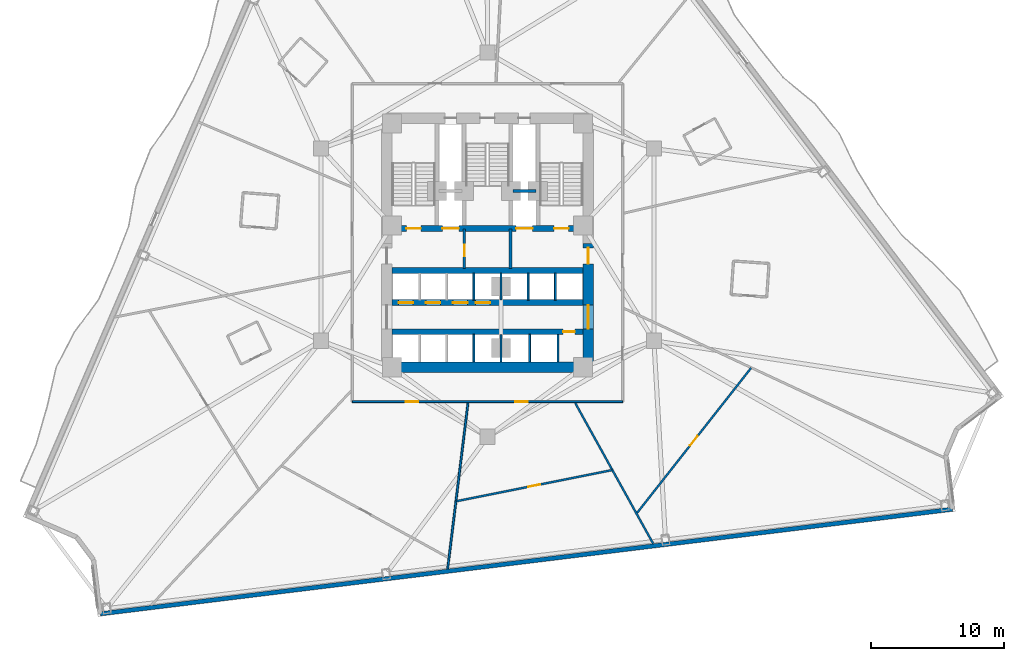
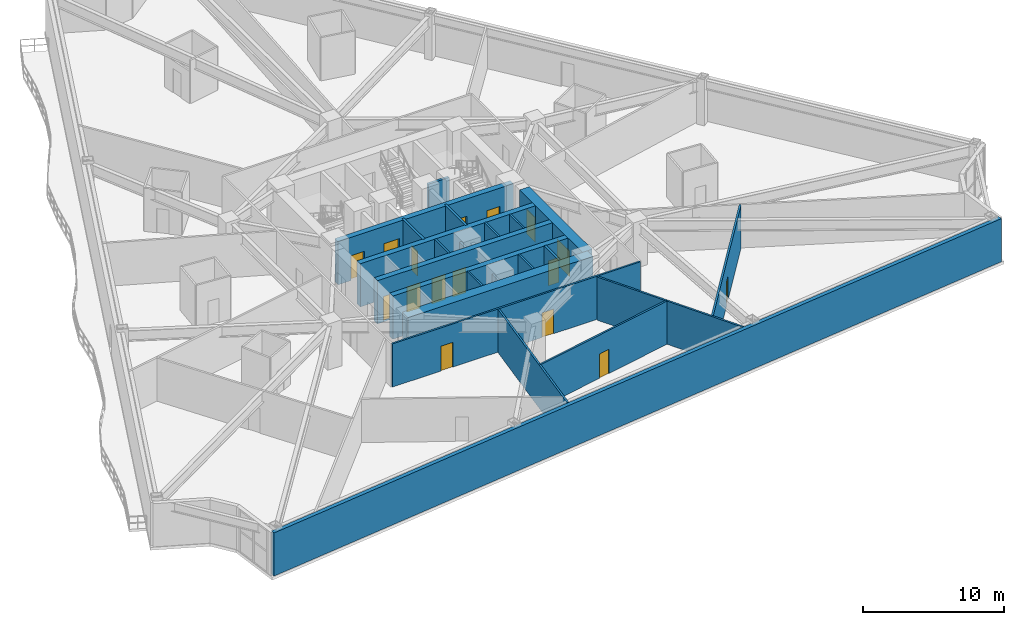
# One storey, part 7 of 14: 23 walls, 16 doors, 16 openings.
"""IFC4 building model written with IfcOpenShell, lengths in metres."""

import ifcopenshell
import ifcopenshell.guid

model = None  # the IFC model being written
_history = None  # IfcOwnerHistory: only IFC2X3 demands one
_inside = {}  # id of a spatial element -> (the spatial element, [elements in it])
_under = {}  # id of a project, library or spatial element -> (it, [spatial elements below it])
_declared = {}  # id of a project -> (the project, [libraries it declares])
_typed = {}  # id of a type object -> (the type object, [elements of that type])
_made_of = {}  # id of a material, layer set ... -> (it, [elements and type objects made of it])


def new_model(schema):
    """Start an empty IFC model of exactly this schema.

    Asked for "IFC4X3", IfcOpenShell would pick the latest addendum, in which some entities
    have other attributes; the version numbers below select the first issue.
    IFC2X3 requires an IfcOwnerHistory on every rooted entity: one is made here for all.
    """
    global model, _history
    if schema == "IFC4X3":
        model = ifcopenshell.file(schema_version=(4, 3, 0, 0))
    else:
        model = ifcopenshell.file(schema=schema)
    _inside.clear()
    _under.clear()
    _declared.clear()
    _typed.clear()
    _made_of.clear()
    _history = None
    if model.schema == "IFC2X3":
        org = make("IfcOrganization", Name="unknown")
        user = make(
            "IfcPersonAndOrganization",
            ThePerson=make("IfcPerson", FamilyName="unknown"),
            TheOrganization=org,
        )
        app = make(
            "IfcApplication",
            ApplicationDeveloper=org,
            Version="unknown",
            ApplicationFullName="unknown",
            ApplicationIdentifier="unknown",
        )
        _history = make(
            "IfcOwnerHistory",
            OwningUser=user,
            OwningApplication=app,
            ChangeAction="ADDED",
            CreationDate=0,
        )
    return model


def make(cls, **values):
    """One entity of the class cls with the attributes given. An attribute that is None is left unset."""
    return model.create_entity(
        cls, **{name: value for name, value in values.items() if value is not None}
    )


def rooted(cls, **values):
    """An entity with a GlobalId (a new one), such as an element, a storey or a relation."""
    return make(cls, GlobalId=ifcopenshell.guid.new(), OwnerHistory=_history, **values)


def si_unit(unit_type, name, prefix=None):
    """IfcSIUnit, for example si_unit("LENGTHUNIT", "METRE", prefix="MILLI")."""
    return make("IfcSIUnit", UnitType=unit_type, Prefix=prefix, Name=name)


def assignment(units):
    """IfcUnitAssignment: the units of a project."""
    return None if units is None else make("IfcUnitAssignment", Units=units)


def point(xyz):
    """IfcCartesianPoint."""
    return None if xyz is None else make("IfcCartesianPoint", Coordinates=xyz)


def direction(xyz):
    """IfcDirection."""
    return None if xyz is None else make("IfcDirection", DirectionRatios=xyz)


def frame(location, z_axis=None, x_axis=None):
    """IfcAxis2Placement3D, a coordinate frame: its origin and axes. An axis left out is left unset."""
    return make(
        "IfcAxis2Placement3D",
        Location=point(location),
        Axis=direction(z_axis),
        RefDirection=direction(x_axis),
    )


def frame_2d(location, x_axis=None):
    """IfcAxis2Placement2D, a coordinate frame in the plane: its origin and x axis."""
    return make(
        "IfcAxis2Placement2D", Location=point(location), RefDirection=direction(x_axis)
    )


def origin():
    """The frame at (0, 0, 0) with its axes left unset."""
    return frame((0.0, 0.0, 0.0))


def place(relative_to, where):
    """IfcLocalPlacement: puts the frame where relative to a parent placement (None: the world)."""
    return make(
        "IfcLocalPlacement", PlacementRelTo=relative_to, RelativePlacement=where
    )


def context(
    kind, dimensions, precision=None, world=None, true_north=None, identifier=None
):
    """IfcGeometricRepresentationContext, for example the 3D "Model" context."""
    return make(
        "IfcGeometricRepresentationContext",
        ContextIdentifier=identifier,
        ContextType=kind,
        CoordinateSpaceDimension=dimensions,
        Precision=precision,
        WorldCoordinateSystem=world,
        TrueNorth=true_north,
    )


def subcontext(parent, identifier, kind, view, scale=None):
    """IfcGeometricRepresentationSubContext, for example "Body" below "Model"."""
    return make(
        "IfcGeometricRepresentationSubContext",
        ContextIdentifier=identifier,
        ContextType=kind,
        ParentContext=parent,
        TargetScale=scale,
        TargetView=view,
    )


def project(units=None, contexts=None):
    """IfcProject with its units and contexts."""
    return rooted(
        "IfcProject",
        Name="project",
        RepresentationContexts=contexts,
        UnitsInContext=assignment(units),
    )


def spatial(cls, under=None, at=None, **own):
    """A site, building, storey or space (cls), placed at a placement, below another one or the project."""
    s = rooted(cls, ObjectPlacement=at, **own)
    if under is not None:
        _under.setdefault(under.id(), (under, []))[1].append(s)
    return s


def profile(cls, at=None, kind="AREA", **sizes):
    """A parametric profile (cls). Its sizes go by their IFC names, for example OverallWidth=200.0."""
    return make(cls, ProfileType=kind, Position=at, **sizes)


def rectangle(**sizes):
    """IfcRectangleProfileDef."""
    return profile("IfcRectangleProfileDef", **sizes)


def extrude(swept, where, along, depth):
    """IfcExtrudedAreaSolid: the profile swept, set in the frame where, extruded along a direction by depth."""
    return make(
        "IfcExtrudedAreaSolid",
        SweptArea=swept,
        Position=where,
        ExtrudedDirection=direction(along),
        Depth=depth,
    )


def shape(context_of_items, identifier, shape_type, items):
    """IfcShapeRepresentation: the items that make up one representation, for example the "Body"."""
    return make(
        "IfcShapeRepresentation",
        ContextOfItems=context_of_items,
        RepresentationIdentifier=identifier,
        RepresentationType=shape_type,
        Items=items,
    )


def material(Name=None, Category=None):
    """IfcMaterial."""
    return make("IfcMaterial", Name=Name, Category=Category)


def layer(
    of_material, thickness, ventilated=None, Name=None, Category=None, Priority=None
):
    """IfcMaterialLayer: one layer of a wall or slab, of a material (None: an air gap)."""
    return make(
        "IfcMaterialLayer",
        Material=of_material,
        LayerThickness=thickness,
        IsVentilated=ventilated,
        Name=Name,
        Category=Category,
        Priority=Priority,
    )


def layer_set(layers, Name=None):
    """IfcMaterialLayerSet."""
    return make("IfcMaterialLayerSet", MaterialLayers=layers, LayerSetName=Name)


def made_of(thing, what):
    """Note that an element or type object is made of a material, layer set ...; save() writes the relation."""
    if what is not None:
        _made_of.setdefault(what.id(), (what, []))[1].append(thing)
    return thing


def type_object(cls, material=None, **own):
    """A type object (cls), such as IfcWallType, which elements share."""
    return made_of(rooted(cls, **own), material)


def element(
    cls,
    number,
    at=None,
    inside=None,
    cuts=None,
    type_object=None,
    material=None,
    context=None,
    identifier="Body",
    shape_type=None,
    held_by="IfcProductDefinitionShape",
    body=None,
    shapes=None,
    **own,
):
    """One element of the class cls, such as IfcWall. Its Tag is "e" and its number.

    at: its placement. inside: the storey or other place that contains it. cuts: it is an
    opening in that element (IfcRelVoidsElement). A single representation is given by context,
    identifier, shape_type and body (its items); several are given by shapes. held_by: the class
    of the entity that holds the representations. save() writes the other relations.
    """
    e = rooted(cls, Tag="e%d" % number, ObjectPlacement=at, **own)
    if body is not None:
        shapes = [shape(context, identifier, shape_type, body)]
    if shapes is not None:
        e.Representation = make(held_by, Representations=shapes)
    if inside is not None:
        _inside.setdefault(inside.id(), (inside, []))[1].append(e)
    if cuts is not None:
        rooted(
            "IfcRelVoidsElement", RelatingBuildingElement=cuts, RelatedOpeningElement=e
        )
    if type_object is not None:
        _typed.setdefault(type_object.id(), (type_object, []))[1].append(e)
    return made_of(e, material)


def fill(opening, filler):
    """IfcRelFillsElement: the door or window that sits in an opening."""
    return rooted(
        "IfcRelFillsElement",
        RelatingOpeningElement=opening,
        RelatedBuildingElement=filler,
    )


def aggregate(whole, parts):
    """IfcRelAggregates: a whole, such as a stair, and the parts it consists of."""
    return rooted("IfcRelAggregates", RelatingObject=whole, RelatedObjects=parts)


def save(model, path):
    """Write the relations noted so far, then the file.

    IfcRelAggregates (storeys below a building ...), IfcRelContainedInSpatialStructure (elements
    in a storey), IfcRelDefinesByType, IfcRelAssociatesMaterial and IfcRelDeclares: one each for
    every whole, place, type object, material and project.
    """
    for whole, parts in _under.values():
        aggregate(whole, parts)
    for where, things in _inside.values():
        rooted(
            "IfcRelContainedInSpatialStructure",
            RelatedElements=things,
            RelatingStructure=where,
        )
    for kind, things in _typed.values():
        rooted("IfcRelDefinesByType", RelatedObjects=things, RelatingType=kind)
    for what, things in _made_of.values():
        rooted("IfcRelAssociatesMaterial", RelatedObjects=things, RelatingMaterial=what)
    for by, libraries in _declared.values():
        rooted("IfcRelDeclares", RelatingContext=by, RelatedDefinitions=libraries)
    model.write(path)


model = new_model("IFC4")

# Units and contexts
model_context = context("Model", 3, precision=1e-05, world=origin(), true_north=direction((0.0, 1.0)))
body_context = subcontext(model_context, "Body", "Model", "MODEL_VIEW")
ifc_project = project(units=[si_unit("LENGTHUNIT", "METRE"), si_unit("AREAUNIT", "SQUARE_METRE"), si_unit("VOLUMEUNIT", "CUBIC_METRE"), si_unit("PLANEANGLEUNIT", "RADIAN"), si_unit("MASSUNIT", "GRAM", prefix="KILO")], contexts=[model_context])

# Site, building, storey
site_placement = place(None, origin())
site = spatial("IfcSite", under=ifc_project, at=site_placement, CompositionType="ELEMENT")
building_placement = place(site_placement, origin())
building = spatial("IfcBuilding", under=site, at=building_placement, Name="Apsidion Concourse Tower", CompositionType="ELEMENT")
storey_placement = place(building_placement, frame((0.0, 0.0, 79.0)))
storey = spatial("IfcBuildingStorey", under=building, at=storey_placement, Name="L17", CompositionType="ELEMENT", Elevation=79.0)

# Walls
ifc_material_1 = material(Name="Precast concrete C40/50", Category="concrete")
ifc_layer_1 = layer(ifc_material_1, 0.320068359375)
ifc_layer_set_1 = layer_set([ifc_layer_1], Name="Precast concrete C40/50")
wall_type_1 = type_object("IfcWallType", Name="WL-EXT-320", PredefinedType="STANDARD", material=ifc_layer_set_1)
wall_1_placement = place(storey_placement, frame((35.0908203125, -19.961181640625, 0.0), z_axis=(0.0, 0.0, 1.0), x_axis=(-0.992546286146, -0.121868247946, 0.0)))
element("IfcWall", 1, at=wall_1_placement, inside=storey, type_object=wall_type_1, Name="L17 Precast Stone Facade Wall 05", PredefinedType="STANDARD", context=body_context, shape_type="SweptSolid", body=[
    extrude(rectangle(XDim=64.793212890625, YDim=0.320068359375, at=frame_2d((32.396484375, 0.0))), origin(), (0.0, 0.0, 1.0), 3.75),
])
ifc_material_2 = material(Name="Gypsum plasterboard partition")
ifc_layer_2 = layer(ifc_material_2, 0.14990234375)
ifc_layer_set_2 = layer_set([ifc_layer_2], Name="Gypsum plasterboard partition")
wall_type_2 = type_object("IfcWallType", Name="WL-INT-PAR-150", PredefinedType="PARTITIONING", material=ifc_layer_set_2)
for number, where, z_axis, x_axis, name in (
    (2, (-1.02490234375, -4.179931640625, 0.0), (0.0, 0.0, 1.0), (0.0, 1.0, 0.0), "L17 Interior Partition WL-L17-B1DIV-3"),
    (3, (3.074951171875, -4.179931640625, 0.0), (0.0, 0.0, 1.0), (0.0, 1.0, 0.0), "L17 Interior Partition WL-L17-B3DIV-1"),
    (4, (5.125, -4.179931640625, 0.0), (0.0, 0.0, 1.0), (0.0, 1.0, 0.0), "L17 Interior Partition WL-L17-B3DIV-2"),
):
    element("IfcWall", number, at=place(storey_placement, frame(where, z_axis=z_axis, x_axis=x_axis)), inside=storey, type_object=wall_type_2, Name=name, PredefinedType="PARTITIONING", context=body_context, shape_type="SweptSolid", body=[
        extrude(rectangle(XDim=2.030029296875, YDim=0.14990234375, at=frame_2d((1.01513671875, 0.0))), origin(), (0.0, 0.0, 1.0), 3.75),
    ])
for number, where, z_axis, x_axis, name in (
    (5, (-1.02490234375, -8.85009765625, 0.0), (0.0, 0.0, 1.0), (0.0, 1.0, 0.0), "L17 Interior Partition WL-L17-B2DIV-3"),
    (6, (3.175048828125, -8.85009765625, 0.0), (0.0, 0.0, 1.0), (0.0, 1.0, 0.0), "L17 Interior Partition WL-L17-SHDIV-1"),
):
    element("IfcWall", number, at=place(storey_placement, frame(where, z_axis=z_axis, x_axis=x_axis)), inside=storey, type_object=wall_type_2, Name=name, PredefinedType="PARTITIONING", context=body_context, shape_type="SweptSolid", body=[
        extrude(rectangle(XDim=2.080078125, YDim=0.14990234375, at=frame_2d((1.0400390625, 0.0))), origin(), (0.0, 0.0, 1.0), 3.75),
    ])

# Wall, openings, doors
wall_2_placement = place(storey_placement, frame((10.199951171875, -11.85009765625, 0.0), z_axis=(0.0, 0.0, 1.0), x_axis=(-1.0, 0.0, 0.0)))
wall_2 = element("IfcWall", 7, at=wall_2_placement, inside=storey, type_object=wall_type_2, Name="L17 Interior Partition WL-L17-CORR-03", PredefinedType="PARTITIONING", context=body_context, shape_type="SweptSolid", body=[
    extrude(rectangle(XDim=20.39990234375, YDim=0.14990234375, at=frame_2d((10.199951171875, 0.0))), origin(), (0.0, 0.0, 1.0), 3.75),
])
opening_1_placement = place(wall_2_placement, frame((15.430908203125, 0.0, 0.0)))
opening_1 = element("IfcOpeningElement", 8, at=opening_1_placement, cuts=wall_2, Name="Opening D-01R", PredefinedType="OPENING", context=body_context, shape_type="SweptSolid", body=[
    extrude(rectangle(XDim=0.949951171875, YDim=2.14990234375, at=frame_2d((0.47509765625, 1.074951171875))), frame((0.0, 0.0849609375, 0.0), z_axis=(0.0, -1.0, 0.0), x_axis=(1.0, 0.0, 0.0)), (0.0, 0.0, 1.0), 0.169921875),
])
opening_2_placement = place(wall_2_placement, frame((7.1484375, 0.0, 0.0)))
opening_2 = element("IfcOpeningElement", 9, at=opening_2_placement, cuts=wall_2, Name="Opening D-01L", PredefinedType="OPENING", context=body_context, shape_type="SweptSolid", body=[
    extrude(rectangle(XDim=0.949951171875, YDim=2.14990234375, at=frame_2d((0.47509765625, 1.074951171875))), frame((0.0, 0.0849609375, 0.0), z_axis=(0.0, -1.0, 0.0), x_axis=(1.0, 0.0, 0.0)), (0.0, 0.0, 1.0), 0.169921875),
])
ifc_material_3 = material(Name="Brushed stainless steel 316", Category="steel")
door_type_1 = type_object("IfcDoorType", Name="DR-INT-D01L", OperationType="SINGLE_SWING_LEFT", PredefinedType="DOOR", material=ifc_material_3)
door_1_placement = place(opening_2_placement, origin())
door_1 = element("IfcDoor", 10, at=door_1_placement, inside=storey, type_object=door_type_1, Name="L17 Corridor Entry Door 03", OperationType="SINGLE_SWING_LEFT", OverallHeight=2.14990234375, OverallWidth=0.949951171875, PredefinedType="DOOR", context=body_context, shape_type="SweptSolid", body=[
    extrude(rectangle(XDim=0.949951171875, YDim=2.14990234375, at=frame_2d((0.47509765625, 1.074951171875))), frame((0.0, 0.02490234375, 0.0), z_axis=(0.0, -1.0, 0.0), x_axis=(1.0, 0.0, 0.0)), (0.0, 0.0, 1.0), 0.050048828125),
])
fill(opening_2, door_1)
door_type_2 = type_object("IfcDoorType", Name="DR-INT-D01R", OperationType="SINGLE_SWING_RIGHT", PredefinedType="DOOR", material=ifc_material_3)
door_2_placement = place(opening_1_placement, origin())
door_2 = element("IfcDoor", 11, at=door_2_placement, inside=storey, type_object=door_type_2, Name="L17 Corridor Entry Door 02", OperationType="SINGLE_SWING_RIGHT", OverallHeight=2.14990234375, OverallWidth=0.949951171875, PredefinedType="DOOR", context=body_context, shape_type="SweptSolid", body=[
    extrude(rectangle(XDim=0.949951171875, YDim=2.14990234375, at=frame_2d((0.47509765625, 1.074951171875))), frame((0.0, 0.02490234375, 0.0), z_axis=(0.0, -1.0, 0.0), x_axis=(1.0, 0.0, 0.0)), (0.0, 0.0, 1.0), 0.050048828125),
])
fill(opening_1, door_2)

# Walls
wall_3_placement = place(storey_placement, frame((-1.468017578125, -11.955078125, 0.0), z_axis=(0.0, 0.0, 1.0), x_axis=(-0.121866856939, -0.992546456938, 0.0)))
element("IfcWall", 12, at=wall_3_placement, inside=storey, type_object=wall_type_2, Name="L17 Interior Partition WL-L17-RAD-08-1", PredefinedType="PARTITIONING", context=body_context, shape_type="SweptSolid", body=[
    extrude(rectangle(XDim=12.60107421875, YDim=0.14990234375, at=frame_2d((6.300537109375, 0.0))), origin(), (0.0, 0.0, 1.0), 3.75),
])
wall_4_placement = place(storey_placement, frame((6.626708984375, -11.955078125, 0.0), z_axis=(0.0, 0.0, 1.0), x_axis=(0.484815133675, -0.874616650973, 0.0)))
element("IfcWall", 13, at=wall_4_placement, inside=storey, type_object=wall_type_2, Name="L17 Interior Partition WL-L17-RAD-09-1", PredefinedType="PARTITIONING", context=body_context, shape_type="SweptSolid", body=[
    extrude(rectangle(XDim=12.123046875, YDim=0.14990234375, at=frame_2d((6.0615234375, 0.0))), origin(), (0.0, 0.0, 1.0), 3.75),
])

# Wall, opening, door
wall_5_placement = place(storey_placement, frame((-2.351806640625, -19.359130859375, 0.0), z_axis=(0.0, 0.0, 1.0), x_axis=(0.980583809713, 0.196100464376, 0.0)))
wall_5 = element("IfcWall", 14, at=wall_5_placement, inside=storey, type_object=wall_type_2, Name="L17 Interior Partition WL-L17-CHD-HXS02", PredefinedType="PARTITIONING", context=body_context, shape_type="SweptSolid", body=[
    extrude(rectangle(XDim=11.984130859375, YDim=0.14990234375, at=frame_2d((5.9921875, 0.0))), origin(), (0.0, 0.0, 1.0), 3.75),
])
opening_3_placement = place(wall_5_placement, frame((5.5419921875, 0.0, 0.0)))
opening_3 = element("IfcOpeningElement", 15, at=opening_3_placement, cuts=wall_5, Name="Opening D-02R", PredefinedType="OPENING", context=body_context, shape_type="SweptSolid", body=[
    extrude(rectangle(XDim=0.89990234375, YDim=2.10009765625, at=frame_2d((0.449951171875, 1.050048828125))), frame((0.0, 0.0849609375, 0.0), z_axis=(0.0, -1.0, 0.0), x_axis=(1.0, 0.0, 0.0)), (0.0, 0.0, 1.0), 0.169921875),
])
ifc_material_4 = material(Name="Anodised aluminium EN AW-6063 T6", Category="aluminium")
door_type_3 = type_object("IfcDoorType", Name="DR-INT-D02R", OperationType="SINGLE_SWING_RIGHT", PredefinedType="DOOR", material=ifc_material_4)
door_3_placement = place(opening_3_placement, origin())
door_3 = element("IfcDoor", 16, at=door_3_placement, inside=storey, type_object=door_type_3, Name="L17 Suite Connecting Door HXS02", OperationType="SINGLE_SWING_RIGHT", OverallHeight=2.10009765625, OverallWidth=0.89990234375, PredefinedType="DOOR", context=body_context, shape_type="SweptSolid", body=[
    extrude(rectangle(XDim=0.89990234375, YDim=2.10009765625, at=frame_2d((0.449951171875, 1.050048828125))), frame((0.0, 0.02490234375, 0.0), z_axis=(0.0, -1.0, 0.0), x_axis=(1.0, 0.0, 0.0)), (0.0, 0.0, 1.0), 0.050048828125),
])
fill(opening_3, door_3)

wall_6_placement = place(storey_placement, frame((11.265380859375, -20.271484375, 0.0), z_axis=(0.0, 0.0, 1.0), x_axis=(0.618279646064, 0.785958191803, 0.0)))
wall_6 = element("IfcWall", 17, at=wall_6_placement, inside=storey, type_object=wall_type_2, Name="L17 Interior Partition WL-L17-CHD-HXS03", PredefinedType="PARTITIONING", context=body_context, shape_type="SweptSolid", body=[
    extrude(rectangle(XDim=13.954345703125, YDim=0.14990234375, at=frame_2d((6.97705078125, 0.0))), origin(), (0.0, 0.0, 1.0), 3.75),
])
opening_4_placement = place(wall_6_placement, frame((6.52734375, 0.0, 0.0)))
opening_4 = element("IfcOpeningElement", 18, at=opening_4_placement, cuts=wall_6, Name="Opening D-02L", PredefinedType="OPENING", context=body_context, shape_type="SweptSolid", body=[
    extrude(rectangle(XDim=0.89990234375, YDim=2.10009765625, at=frame_2d((0.449951171875, 1.050048828125))), frame((0.0, 0.0849609375, 0.0), z_axis=(0.0, -1.0, 0.0), x_axis=(1.0, 0.0, 0.0)), (0.0, 0.0, 1.0), 0.169921875),
])
door_type_4 = type_object("IfcDoorType", Name="DR-INT-D02L", OperationType="SINGLE_SWING_LEFT", PredefinedType="DOOR", material=ifc_material_4)
door_4_placement = place(opening_4_placement, origin())
door_4 = element("IfcDoor", 19, at=door_4_placement, inside=storey, type_object=door_type_4, Name="L17 Suite Connecting Door HXS03", OperationType="SINGLE_SWING_LEFT", OverallHeight=2.10009765625, OverallWidth=0.89990234375, PredefinedType="DOOR", context=body_context, shape_type="SweptSolid", body=[
    extrude(rectangle(XDim=0.89990234375, YDim=2.10009765625, at=frame_2d((0.449951171875, 1.050048828125))), frame((0.0, 0.02490234375, 0.0), z_axis=(0.0, -1.0, 0.0), x_axis=(1.0, 0.0, 0.0)), (0.0, 0.0, 1.0), 0.050048828125),
])
fill(opening_4, door_4)

# Walls
ifc_layer_3 = layer(ifc_material_2, 0.179931640625)
ifc_layer_set_3 = layer_set([ifc_layer_3], Name="Gypsum plasterboard partition")
wall_type_3 = type_object("IfcWallType", Name="WL-INT-PAR-180", PredefinedType="PARTITIONING", material=ifc_layer_set_3)
wall_7_placement = place(storey_placement, frame((1.02490234375, -4.179931640625, 0.0), z_axis=(0.0, 0.0, 1.0), x_axis=(0.0, 1.0, 0.0)))
element("IfcWall", 20, at=wall_7_placement, inside=storey, type_object=wall_type_3, Name="L17 Interior Partition WL-L17-B1END", PredefinedType="PARTITIONING", context=body_context, shape_type="SweptSolid", body=[
    extrude(rectangle(XDim=2.030029296875, YDim=0.179931640625, at=frame_2d((1.01513671875, 0.0))), origin(), (0.0, 0.0, 1.0), 2.798095703125),
])
wall_8_placement = place(storey_placement, frame((1.02490234375, -8.85009765625, 0.0), z_axis=(0.0, 0.0, 1.0), x_axis=(0.0, 1.0, 0.0)))
element("IfcWall", 21, at=wall_8_placement, inside=storey, type_object=wall_type_3, Name="L17 Interior Partition WL-L17-B2END", PredefinedType="PARTITIONING", context=body_context, shape_type="SweptSolid", body=[
    extrude(rectangle(XDim=2.080078125, YDim=0.179931640625, at=frame_2d((1.0400390625, 0.0))), origin(), (0.0, 0.0, 1.0), 2.798095703125),
])
wall_9_placement = place(storey_placement, frame((5.324951171875, -8.85009765625, 0.0), z_axis=(0.0, 0.0, 1.0), x_axis=(0.0, 1.0, 0.0)))
element("IfcWall", 22, at=wall_9_placement, inside=storey, type_object=wall_type_3, Name="L17 Interior Partition WL-L17-SHDIV-2", PredefinedType="PARTITIONING", context=body_context, shape_type="SweptSolid", body=[
    extrude(rectangle(XDim=2.080078125, YDim=0.179931640625, at=frame_2d((1.0400390625, 0.0))), origin(), (0.0, 0.0, 1.0), 3.75),
])
ifc_layer_4 = layer(ifc_material_2, 0.199951171875)
ifc_layer_set_4 = layer_set([ifc_layer_4], Name="Gypsum plasterboard partition")
wall_type_4 = type_object("IfcWallType", Name="WL-INT-PAR-200", PredefinedType="PARTITIONING", material=ifc_layer_set_4)
wall_10_placement = place(storey_placement, frame((1.919921875, 4.050048828125, 0.0), z_axis=(0.0, 0.0, 1.0), x_axis=(1.0, 0.0, 0.0)))
element("IfcWall", 23, at=wall_10_placement, inside=storey, type_object=wall_type_4, Name="L17 Interior Partition WL-L17-FF2-N", PredefinedType="PARTITIONING", context=body_context, shape_type="SweptSolid", body=[
    extrude(rectangle(XDim=1.72998046875, YDim=0.199951171875, at=frame_2d((0.864990234375, 0.0))), origin(), (0.0, 0.0, 1.0), 3.75),
])

# Wall, opening, door
wall_11_placement = place(storey_placement, frame((-1.739990234375, -1.780029296875, 0.0), z_axis=(0.0, 0.0, 1.0), x_axis=(0.0, 1.0, 0.0)))
wall_11 = element("IfcWall", 24, at=wall_11_placement, inside=storey, type_object=wall_type_4, Name="L17 Interior Partition WL-L17-FF1-E", PredefinedType="PARTITIONING", context=body_context, shape_type="SweptSolid", body=[
    extrude(rectangle(XDim=2.97998046875, YDim=0.199951171875, at=frame_2d((1.489990234375, 0.0))), origin(), (0.0, 0.0, 1.0), 3.75),
])
opening_5_placement = place(wall_11_placement, frame((0.889892578125, 0.0, 0.0)))
opening_5 = element("IfcOpeningElement", 25, at=opening_5_placement, cuts=wall_11, Name="Opening D-05R", PredefinedType="OPENING", context=body_context, shape_type="SweptSolid", body=[
    extrude(rectangle(XDim=0.8798828125, YDim=2.14990234375, at=frame_2d((0.43994140625, 1.074951171875))), frame((0.0, 0.10986328125, 0.0), z_axis=(0.0, -1.0, 0.0), x_axis=(1.0, 0.0, 0.0)), (0.0, 0.0, 1.0), 0.219970703125),
])
door_type_5 = type_object("IfcDoorType", Name="DR-INT-D05R", OperationType="SINGLE_SWING_RIGHT", PredefinedType="DOOR", material=ifc_material_3)
door_5_placement = place(opening_5_placement, origin())
door_5 = element("IfcDoor", 26, at=door_5_placement, inside=storey, type_object=door_type_5, Name="L17 Core BMS Door", OperationType="SINGLE_SWING_RIGHT", OverallHeight=2.14990234375, OverallWidth=0.8798828125, PredefinedType="DOOR", context=body_context, shape_type="SweptSolid", body=[
    extrude(rectangle(XDim=0.8798828125, YDim=2.14990234375, at=frame_2d((0.43994140625, 1.074951171875))), frame((0.0, 0.02490234375, 0.0), z_axis=(0.0, -1.0, 0.0), x_axis=(1.0, 0.0, 0.0)), (0.0, 0.0, 1.0), 0.050048828125),
])
fill(opening_5, door_5)

# Wall
wall_12_placement = place(storey_placement, frame((1.739990234375, -1.780029296875, 0.0), z_axis=(0.0, 0.0, 1.0), x_axis=(0.0, 1.0, 0.0)))
element("IfcWall", 27, at=wall_12_placement, inside=storey, type_object=wall_type_4, Name="L17 Interior Partition WL-L17-FF2-W", PredefinedType="PARTITIONING", context=body_context, shape_type="SweptSolid", body=[
    extrude(rectangle(XDim=2.97998046875, YDim=0.199951171875, at=frame_2d((1.489990234375, 0.0))), origin(), (0.0, 0.0, 1.0), 3.75),
])

# Wall, openings, doors
ifc_material_5 = material(Name="Concrete C60/75", Category="concrete")
ifc_layer_5 = layer(ifc_material_5, 0.449951171875)
ifc_layer_set_5 = layer_set([ifc_layer_5], Name="Concrete C60/75")
wall_type_5 = type_object("IfcWallType", Name="WL-SH-450", PredefinedType="SHEAR", material=ifc_layer_set_5)
wall_13_placement = place(storey_placement, frame((-7.199951171875, 1.22509765625, 0.0), z_axis=(0.0, 0.0, 1.0), x_axis=(1.0, 0.0, 0.0)))
wall_13 = element("IfcWall", 28, at=wall_13_placement, inside=storey, type_object=wall_type_5, Name="L17 Central Core Shear Wall M1", PredefinedType="SHEAR", context=body_context, shape_type="SweptSolid", body=[
    extrude(rectangle(XDim=14.39990234375, YDim=0.449951171875, at=frame_2d((7.199951171875, 0.0))), origin(), (0.0, 0.0, 1.0), 3.75),
])
opening_6_placement = place(wall_13_placement, frame((3.794921875, 0.0, 0.0)))
opening_6 = element("IfcOpeningElement", 29, at=opening_6_placement, cuts=wall_13, Name="Opening LD-FF", PredefinedType="OPENING", context=body_context, shape_type="SweptSolid", body=[
    extrude(rectangle(XDim=1.25, YDim=2.25, at=frame_2d((0.625, 1.125))), frame((0.0, 0.23486328125, 0.0), z_axis=(0.0, -1.0, 0.0), x_axis=(1.0, 0.0, 0.0)), (0.0, 0.0, 1.0), 0.469970703125),
])
opening_7_placement = place(wall_13_placement, frame((9.35498046875, 0.0, 0.0)))
opening_7 = element("IfcOpeningElement", 30, at=opening_7_placement, cuts=wall_13, Name="Opening LD-FF", PredefinedType="OPENING", context=body_context, shape_type="SweptSolid", body=[
    extrude(rectangle(XDim=1.25, YDim=2.25, at=frame_2d((0.625, 1.125))), frame((0.0, 0.23486328125, 0.0), z_axis=(0.0, -1.0, 0.0), x_axis=(1.0, 0.0, 0.0)), (0.0, 0.0, 1.0), 0.469970703125),
])
opening_8_placement = place(wall_13_placement, frame((1.074951171875, 0.0, 0.0)))
opening_8 = element("IfcOpeningElement", 31, at=opening_8_placement, cuts=wall_13, Name="Opening D-STL", PredefinedType="OPENING", context=body_context, shape_type="SweptSolid", body=[
    extrude(rectangle(XDim=1.10009765625, YDim=2.14990234375, at=frame_2d((0.550048828125, 1.074951171875))), frame((0.0, 0.23486328125, 0.0), z_axis=(0.0, -1.0, 0.0), x_axis=(1.0, 0.0, 0.0)), (0.0, 0.0, 1.0), 0.469970703125),
])
opening_9_placement = place(wall_13_placement, frame((12.22509765625, 0.0, 0.0)))
opening_9 = element("IfcOpeningElement", 32, at=opening_9_placement, cuts=wall_13, Name="Opening D-STR", PredefinedType="OPENING", context=body_context, shape_type="SweptSolid", body=[
    extrude(rectangle(XDim=1.10009765625, YDim=2.14990234375, at=frame_2d((0.550048828125, 1.074951171875))), frame((0.0, 0.23486328125, 0.0), z_axis=(0.0, -1.0, 0.0), x_axis=(1.0, 0.0, 0.0)), (0.0, 0.0, 1.0), 0.469970703125),
])
door_type_6 = type_object("IfcDoorType", Name="DR-INT-ST1L", OperationType="SINGLE_SWING_LEFT", PredefinedType="DOOR", material=ifc_material_3)
door_6_placement = place(opening_8_placement, origin())
door_6 = element("IfcDoor", 33, at=door_6_placement, inside=storey, type_object=door_type_6, Name="L17 Core Exit Stair ST1 Door", OperationType="SINGLE_SWING_LEFT", OverallHeight=2.14990234375, OverallWidth=1.10009765625, PredefinedType="DOOR", context=body_context, shape_type="SweptSolid", body=[
    extrude(rectangle(XDim=1.10009765625, YDim=2.14990234375, at=frame_2d((0.550048828125, 1.074951171875))), frame((0.0, 0.02490234375, 0.0), z_axis=(0.0, -1.0, 0.0), x_axis=(1.0, 0.0, 0.0)), (0.0, 0.0, 1.0), 0.050048828125),
])
fill(opening_8, door_6)
door_type_7 = type_object("IfcDoorType", Name="DR-INT-ST1R", OperationType="SINGLE_SWING_RIGHT", PredefinedType="DOOR", material=ifc_material_3)
door_7_placement = place(opening_9_placement, origin())
door_7 = element("IfcDoor", 34, at=door_7_placement, inside=storey, type_object=door_type_7, Name="L17 Core Exit Stair ST2 Door", OperationType="SINGLE_SWING_RIGHT", OverallHeight=2.14990234375, OverallWidth=1.10009765625, PredefinedType="DOOR", context=body_context, shape_type="SweptSolid", body=[
    extrude(rectangle(XDim=1.10009765625, YDim=2.14990234375, at=frame_2d((0.550048828125, 1.074951171875))), frame((0.0, 0.02490234375, 0.0), z_axis=(0.0, -1.0, 0.0), x_axis=(1.0, 0.0, 0.0)), (0.0, 0.0, 1.0), 0.050048828125),
])
fill(opening_9, door_7)
door_type_8 = type_object("IfcDoorType", Name="DR-LD-FSAE", OperationType="DOUBLE_DOOR_SLIDING", PredefinedType="DOOR", material=ifc_material_3)
door_8_placement = place(opening_6_placement, origin())
door_8 = element("IfcDoor", 35, at=door_8_placement, inside=storey, type_object=door_type_8, Name="L17 Lift Landing Door FF1", OperationType="DOUBLE_DOOR_SLIDING", OverallHeight=2.25, OverallWidth=1.25, PredefinedType="DOOR", context=body_context, shape_type="SweptSolid", body=[
    extrude(rectangle(XDim=1.25, YDim=2.25, at=frame_2d((0.625, 1.125))), frame((0.0, 0.02490234375, 0.0), z_axis=(0.0, -1.0, 0.0), x_axis=(1.0, 0.0, 0.0)), (0.0, 0.0, 1.0), 0.050048828125),
])
fill(opening_6, door_8)
door_9_placement = place(opening_7_placement, origin())
door_9 = element("IfcDoor", 36, at=door_9_placement, inside=storey, type_object=door_type_8, Name="L17 Lift Landing Door FF2", OperationType="DOUBLE_DOOR_SLIDING", OverallHeight=2.25, OverallWidth=1.25, PredefinedType="DOOR", context=body_context, shape_type="SweptSolid", body=[
    extrude(rectangle(XDim=1.25, YDim=2.25, at=frame_2d((0.625, 1.125))), frame((0.0, 0.02490234375, 0.0), z_axis=(0.0, -1.0, 0.0), x_axis=(1.0, 0.0, 0.0)), (0.0, 0.0, 1.0), 0.050048828125),
])
fill(opening_7, door_9)

# Wall
wall_14_placement = place(storey_placement, frame((-7.199951171875, -1.949951171875, 0.0), z_axis=(0.0, 0.0, 1.0), x_axis=(1.0, 0.0, 0.0)))
element("IfcWall", 37, at=wall_14_placement, inside=storey, type_object=wall_type_5, Name="L17 Central Core Shear Wall M2", PredefinedType="SHEAR", context=body_context, shape_type="SweptSolid", body=[
    extrude(rectangle(XDim=14.39990234375, YDim=0.449951171875, at=frame_2d((7.199951171875, 0.0))), origin(), (0.0, 0.0, 1.0), 3.75),
])

# Wall, openings, doors
wall_15_placement = place(storey_placement, frame((-7.199951171875, -4.3798828125, 0.0), z_axis=(0.0, 0.0, 1.0), x_axis=(1.0, 0.0, 0.0)))
wall_15 = element("IfcWall", 38, at=wall_15_placement, inside=storey, type_object=wall_type_5, Name="L17 Central Core Shear Wall LA", PredefinedType="SHEAR", context=body_context, shape_type="SweptSolid", body=[
    extrude(rectangle(XDim=14.39990234375, YDim=0.449951171875, at=frame_2d((7.199951171875, 0.0))), origin(), (0.0, 0.0, 1.0), 3.75),
])
opening_10_placement = place(wall_15_placement, frame((0.5, 0.0, 0.0)))
opening_10 = element("IfcOpeningElement", 39, at=opening_10_placement, cuts=wall_15, Name="Opening LD-P1", PredefinedType="OPENING", context=body_context, shape_type="SweptSolid", body=[
    extrude(rectangle(XDim=1.10009765625, YDim=2.199951171875, at=frame_2d((0.550048828125, 1.10009765625))), frame((0.0, 0.23486328125, 0.0), z_axis=(0.0, -1.0, 0.0), x_axis=(1.0, 0.0, 0.0)), (0.0, 0.0, 1.0), 0.469970703125),
])
opening_11_placement = place(wall_15_placement, frame((2.550048828125, 0.0, 0.0)))
opening_11 = element("IfcOpeningElement", 40, at=opening_11_placement, cuts=wall_15, Name="Opening LD-P1", PredefinedType="OPENING", context=body_context, shape_type="SweptSolid", body=[
    extrude(rectangle(XDim=1.10009765625, YDim=2.199951171875, at=frame_2d((0.550048828125, 1.10009765625))), frame((0.0, 0.23486328125, 0.0), z_axis=(0.0, -1.0, 0.0), x_axis=(1.0, 0.0, 0.0)), (0.0, 0.0, 1.0), 0.469970703125),
])
opening_12_placement = place(wall_15_placement, frame((4.60009765625, 0.0, 0.0)))
opening_12 = element("IfcOpeningElement", 41, at=opening_12_placement, cuts=wall_15, Name="Opening LD-P1", PredefinedType="OPENING", context=body_context, shape_type="SweptSolid", body=[
    extrude(rectangle(XDim=1.10009765625, YDim=2.199951171875, at=frame_2d((0.550048828125, 1.10009765625))), frame((0.0, 0.23486328125, 0.0), z_axis=(0.0, -1.0, 0.0), x_axis=(1.0, 0.0, 0.0)), (0.0, 0.0, 1.0), 0.469970703125),
])
opening_13_placement = place(wall_15_placement, frame((6.300048828125, 0.0, 0.0)))
opening_13 = element("IfcOpeningElement", 42, at=opening_13_placement, cuts=wall_15, Name="Opening LD-P1", PredefinedType="OPENING", context=body_context, shape_type="SweptSolid", body=[
    extrude(rectangle(XDim=1.10009765625, YDim=2.199951171875, at=frame_2d((0.550048828125, 1.10009765625))), frame((0.0, 0.23486328125, 0.0), z_axis=(0.0, -1.0, 0.0), x_axis=(1.0, 0.0, 0.0)), (0.0, 0.0, 1.0), 0.469970703125),
])
door_type_9 = type_object("IfcDoorType", Name="DR-LD-PASS", OperationType="DOUBLE_DOOR_SLIDING", PredefinedType="DOOR", material=ifc_material_3)
door_10_placement = place(opening_10_placement, origin())
door_10 = element("IfcDoor", 43, at=door_10_placement, inside=storey, type_object=door_type_9, Name="L17 Lift Landing Door P1", OperationType="DOUBLE_DOOR_SLIDING", OverallHeight=2.199951171875, OverallWidth=1.10009765625, PredefinedType="DOOR", context=body_context, shape_type="SweptSolid", body=[
    extrude(rectangle(XDim=1.10009765625, YDim=2.199951171875, at=frame_2d((0.550048828125, 1.10009765625))), frame((0.0, 0.02490234375, 0.0), z_axis=(0.0, -1.0, 0.0), x_axis=(1.0, 0.0, 0.0)), (0.0, 0.0, 1.0), 0.050048828125),
])
fill(opening_10, door_10)
door_11_placement = place(opening_11_placement, origin())
door_11 = element("IfcDoor", 44, at=door_11_placement, inside=storey, type_object=door_type_9, Name="L17 Lift Landing Door P2", OperationType="DOUBLE_DOOR_SLIDING", OverallHeight=2.199951171875, OverallWidth=1.10009765625, PredefinedType="DOOR", context=body_context, shape_type="SweptSolid", body=[
    extrude(rectangle(XDim=1.10009765625, YDim=2.199951171875, at=frame_2d((0.550048828125, 1.10009765625))), frame((0.0, 0.02490234375, 0.0), z_axis=(0.0, -1.0, 0.0), x_axis=(1.0, 0.0, 0.0)), (0.0, 0.0, 1.0), 0.050048828125),
])
fill(opening_11, door_11)
door_12_placement = place(opening_12_placement, origin())
door_12 = element("IfcDoor", 45, at=door_12_placement, inside=storey, type_object=door_type_9, Name="L17 Lift Landing Door P3", OperationType="DOUBLE_DOOR_SLIDING", OverallHeight=2.199951171875, OverallWidth=1.10009765625, PredefinedType="DOOR", context=body_context, shape_type="SweptSolid", body=[
    extrude(rectangle(XDim=1.10009765625, YDim=2.199951171875, at=frame_2d((0.550048828125, 1.10009765625))), frame((0.0, 0.02490234375, 0.0), z_axis=(0.0, -1.0, 0.0), x_axis=(1.0, 0.0, 0.0)), (0.0, 0.0, 1.0), 0.050048828125),
])
fill(opening_12, door_12)
door_13_placement = place(opening_13_placement, origin())
door_13 = element("IfcDoor", 46, at=door_13_placement, inside=storey, type_object=door_type_9, Name="L17 Lift Landing Door P4", OperationType="DOUBLE_DOOR_SLIDING", OverallHeight=2.199951171875, OverallWidth=1.10009765625, PredefinedType="DOOR", context=body_context, shape_type="SweptSolid", body=[
    extrude(rectangle(XDim=1.10009765625, YDim=2.199951171875, at=frame_2d((0.550048828125, 1.10009765625))), frame((0.0, 0.02490234375, 0.0), z_axis=(0.0, -1.0, 0.0), x_axis=(1.0, 0.0, 0.0)), (0.0, 0.0, 1.0), 0.050048828125),
])
fill(opening_13, door_13)

# Wall, opening, door
wall_16_placement = place(storey_placement, frame((-7.199951171875, -6.570068359375, 0.0), z_axis=(0.0, 0.0, 1.0), x_axis=(1.0, 0.0, 0.0)))
wall_16 = element("IfcWall", 47, at=wall_16_placement, inside=storey, type_object=wall_type_5, Name="L17 Central Core Shear Wall LB", PredefinedType="SHEAR", context=body_context, shape_type="SweptSolid", body=[
    extrude(rectangle(XDim=14.39990234375, YDim=0.449951171875, at=frame_2d((7.199951171875, 0.0))), origin(), (0.0, 0.0, 1.0), 3.75),
])
opening_14_placement = place(wall_16_placement, frame((12.909912109375, 0.0, 0.0)))
opening_14 = element("IfcOpeningElement", 48, at=opening_14_placement, cuts=wall_16, Name="Opening D-05L", PredefinedType="OPENING", context=body_context, shape_type="SweptSolid", body=[
    extrude(rectangle(XDim=0.8798828125, YDim=2.14990234375, at=frame_2d((0.43994140625, 1.074951171875))), frame((0.0, 0.23486328125, 0.0), z_axis=(0.0, -1.0, 0.0), x_axis=(1.0, 0.0, 0.0)), (0.0, 0.0, 1.0), 0.469970703125),
])
door_type_10 = type_object("IfcDoorType", Name="DR-INT-D05L", OperationType="SINGLE_SWING_LEFT", PredefinedType="DOOR", material=ifc_material_3)
door_14_placement = place(opening_14_placement, origin())
door_14 = element("IfcDoor", 49, at=door_14_placement, inside=storey, type_object=door_type_10, Name="L17 Cleaners Store Door", OperationType="SINGLE_SWING_LEFT", OverallHeight=2.14990234375, OverallWidth=0.8798828125, PredefinedType="DOOR", context=body_context, shape_type="SweptSolid", body=[
    extrude(rectangle(XDim=0.8798828125, YDim=2.14990234375, at=frame_2d((0.43994140625, 1.074951171875))), frame((0.0, 0.02490234375, 0.0), z_axis=(0.0, -1.0, 0.0), x_axis=(1.0, 0.0, 0.0)), (0.0, 0.0, 1.0), 0.050048828125),
])
fill(opening_14, door_14)

# Wall, openings, doors
ifc_layer_6 = layer(ifc_material_5, 0.800048828125)
ifc_layer_set_6 = layer_set([ifc_layer_6], Name="Concrete C60/75")
wall_type_6 = type_object("IfcWallType", Name="WL-SH-800", PredefinedType="SHEAR", material=ifc_layer_set_6)
wall_17_placement = place(storey_placement, frame((7.60009765625, -8.85009765625, 0.0), z_axis=(0.0, 0.0, 1.0), x_axis=(0.0, 1.0, 0.0)))
wall_17 = element("IfcWall", 50, at=wall_17_placement, inside=storey, type_object=wall_type_6, Name="L17 Central Core Shear Wall ES", PredefinedType="SHEAR", context=body_context, shape_type="SweptSolid", body=[
    extrude(rectangle(XDim=8.9501953125, YDim=0.800048828125, at=frame_2d((4.47509765625, 0.0))), origin(), (0.0, 0.0, 1.0), 3.75),
])
opening_15_placement = place(wall_17_placement, frame((2.489990234375, 0.0, 0.0)))
opening_15 = element("IfcOpeningElement", 51, at=opening_15_placement, cuts=wall_17, Name="Opening D-06D", PredefinedType="OPENING", context=body_context, shape_type="SweptSolid", body=[
    extrude(rectangle(XDim=1.800048828125, YDim=2.199951171875, at=frame_2d((0.89990234375, 1.10009765625))), frame((0.0, 0.41015625, 0.0), z_axis=(0.0, -1.0, 0.0), x_axis=(1.0, 0.0, 0.0)), (0.0, 0.0, 1.0), 0.820068359375),
])
opening_16_placement = place(wall_17_placement, frame((7.39990234375, 0.0, 0.0)))
opening_16 = element("IfcOpeningElement", 52, at=opening_16_placement, cuts=wall_17, Name="Opening D-FFR", PredefinedType="OPENING", context=body_context, shape_type="SweptSolid", body=[
    extrude(rectangle(XDim=1.199951171875, YDim=2.14990234375, at=frame_2d((0.60009765625, 1.074951171875))), frame((0.0, 0.41015625, 0.0), z_axis=(0.0, -1.0, 0.0), x_axis=(1.0, 0.0, 0.0)), (0.0, 0.0, 1.0), 0.820068359375),
])
door_type_11 = type_object("IfcDoorType", Name="DR-INT-D06D", OperationType="DOUBLE_DOOR_SINGLE_SWING", PredefinedType="DOOR", material=ifc_material_3)
door_15_placement = place(opening_15_placement, origin())
door_15 = element("IfcDoor", 53, at=door_15_placement, inside=storey, type_object=door_type_11, Name="L17 Passenger Lift Lobby ES Portal Door", OperationType="DOUBLE_DOOR_SINGLE_SWING", OverallHeight=2.199951171875, OverallWidth=1.800048828125, PredefinedType="DOOR", context=body_context, shape_type="SweptSolid", body=[
    extrude(rectangle(XDim=1.800048828125, YDim=2.199951171875, at=frame_2d((0.89990234375, 1.10009765625))), frame((0.0, 0.02490234375, 0.0), z_axis=(0.0, -1.0, 0.0), x_axis=(1.0, 0.0, 0.0)), (0.0, 0.0, 1.0), 0.050048828125),
])
fill(opening_15, door_15)
door_type_12 = type_object("IfcDoorType", Name="DR-INT-FFR", OperationType="SINGLE_SWING_RIGHT", PredefinedType="DOOR", material=ifc_material_3)
door_16_placement = place(opening_16_placement, origin())
door_16 = element("IfcDoor", 54, at=door_16_placement, inside=storey, type_object=door_type_12, Name="L17 Firefighting Lift Lobby FF2 Door", OperationType="SINGLE_SWING_RIGHT", OverallHeight=2.14990234375, OverallWidth=1.199951171875, PredefinedType="DOOR", context=body_context, shape_type="SweptSolid", body=[
    extrude(rectangle(XDim=1.199951171875, YDim=2.14990234375, at=frame_2d((0.60009765625, 1.074951171875))), frame((0.0, 0.02490234375, 0.0), z_axis=(0.0, -1.0, 0.0), x_axis=(1.0, 0.0, 0.0)), (0.0, 0.0, 1.0), 0.050048828125),
])
fill(opening_16, door_16)

# Wall
wall_18_placement = place(storey_placement, frame((-7.60009765625, -9.25, 0.0), z_axis=(0.0, 0.0, 1.0), x_axis=(1.0, 0.0, 0.0)))
element("IfcWall", 55, at=wall_18_placement, inside=storey, type_object=wall_type_6, Name="L17 Central Core Shear Wall S", PredefinedType="SHEAR", context=body_context, shape_type="SweptSolid", body=[
    extrude(rectangle(XDim=15.2001953125, YDim=0.800048828125, at=frame_2d((7.60009765625, 0.0))), origin(), (0.0, 0.0, 1.0), 3.75),
])

save(model, "model.ifc")
